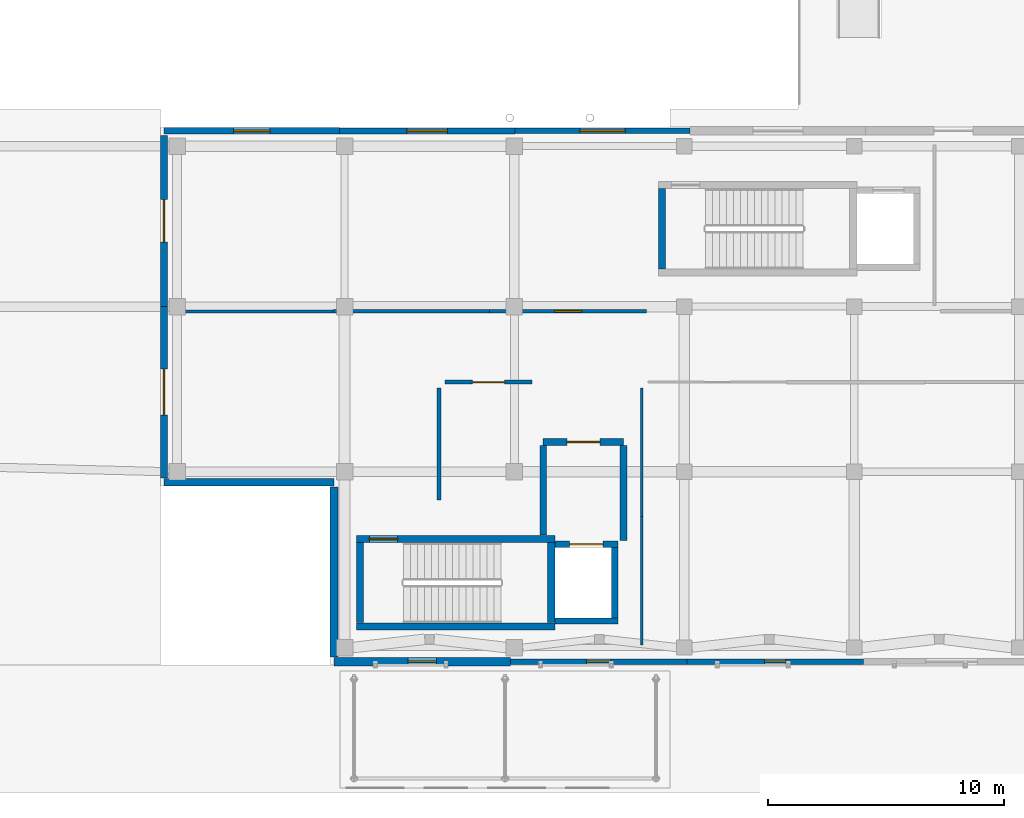
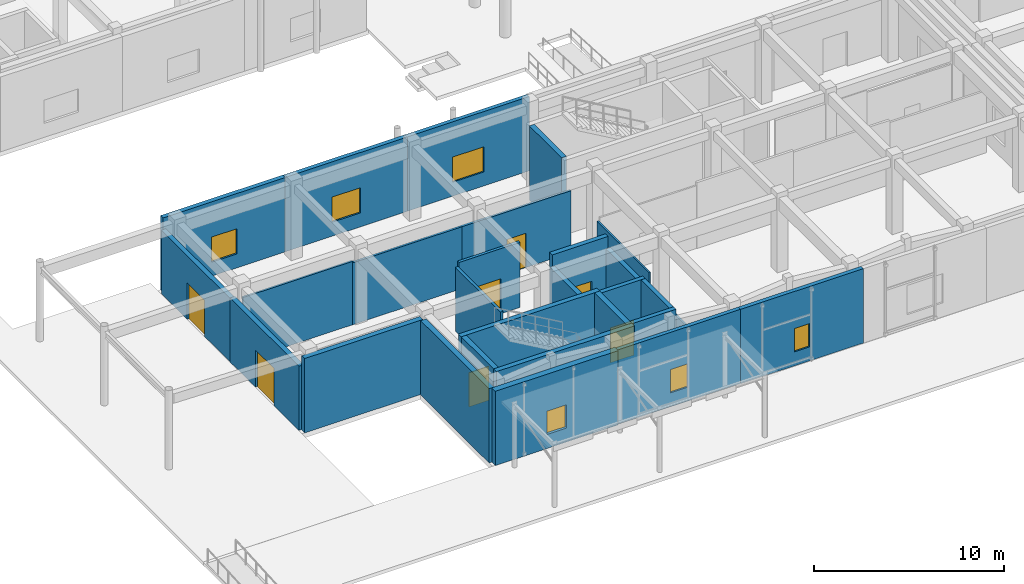
# One storey, part 95 of 121: 28 walls, 7 doors, 6 windows, 13 openings.
"""IFC4 building model written with IfcOpenShell, lengths in metres."""

from ifc_helpers import new_model, si_unit, direction, frame, frame_2d, origin, place, context, subcontext, project, spatial, rectangle, extrude, material, layer, layer_set, type_object, element, fill, save


model = new_model("IFC4")

# Units and contexts
model_context = context("Model", 3, precision=1e-05, world=origin(), true_north=direction((0.0, 1.0)))
body_context = subcontext(model_context, "Body", "Model", "MODEL_VIEW")
ifc_project = project(units=[si_unit("LENGTHUNIT", "METRE"), si_unit("AREAUNIT", "SQUARE_METRE"), si_unit("VOLUMEUNIT", "CUBIC_METRE"), si_unit("PLANEANGLEUNIT", "RADIAN"), si_unit("MASSUNIT", "GRAM", prefix="KILO")], contexts=[model_context])

# Site, building, storey
site_placement = place(None, origin())
site = spatial("IfcSite", under=ifc_project, at=site_placement, CompositionType="ELEMENT")
building_placement = place(site_placement, origin())
building = spatial("IfcBuilding", under=site, at=building_placement, Name="Valcora Specialist Clinic", CompositionType="ELEMENT")
storey_placement = place(building_placement, origin())
storey = spatial("IfcBuildingStorey", under=building, at=storey_placement, Name="L00", CompositionType="ELEMENT", Elevation=0.0)

# Wall, opening, door
ifc_material_1 = material(Name="Concrete C40/50", Category="concrete")
ifc_layer_1 = layer(ifc_material_1, 0.284912109375)
ifc_layer_set_1 = layer_set([ifc_layer_1], Name="Concrete C40/50")
wall_type_1 = type_object("IfcWallType", Name="TY-WL-CR285", PredefinedType="SHEAR", material=ifc_layer_set_1)
wall_1_placement = place(storey_placement, frame((24.6201171875, 9.4599609375, 0.0), z_axis=(0.0, 0.0, 1.0), x_axis=(1.0, 0.0, 0.0)))
wall_1 = element("IfcWall", 1, at=wall_1_placement, inside=storey, type_object=wall_type_1, Name="Firefighting lobby front wall WL-FFL-LF-05-L00-F", PredefinedType="SHEAR", context=body_context, shape_type="SweptSolid", body=[
    extrude(rectangle(XDim=3.39990234375, YDim=0.284912109375, at=frame_2d((1.699951171875, 0.0))), origin(), (0.0, 0.0, 1.0), 4.784912109375),
])
opening_1_placement = place(wall_1_placement, frame((1.0, 0.0, 0.0)))
opening_1 = element("IfcOpeningElement", 2, at=opening_1_placement, cuts=wall_1, Name="Opening DR-FF-140", PredefinedType="OPENING", context=body_context, shape_type="SweptSolid", body=[
    extrude(rectangle(XDim=1.39990234375, YDim=2.25, at=frame_2d((0.699951171875, 1.125))), frame((0.0, 0.15234375, 0.0), z_axis=(0.0, -1.0, 0.0), x_axis=(1.0, 0.0, 0.0)), (0.0, 0.0, 1.0), 0.304931640625),
])
ifc_material_2 = material(Name="Galvanized Hollow Metal Door Steel ASTM A653", Category="steel")
door_type_1 = type_object("IfcDoorType", Name="TY-DR-FF140", OperationType="NOTDEFINED", PredefinedType="DOOR", material=ifc_material_2)
door_1_placement = place(opening_1_placement, origin())
door_1 = element("IfcDoor", 3, at=door_1_placement, inside=storey, type_object=door_type_1, Name="Firefighting lobby fire door LF-05 L00", OperationType="SINGLE_SWING_LEFT", OverallHeight=2.25, OverallWidth=1.39990234375, PredefinedType="DOOR", context=body_context, shape_type="SweptSolid", body=[
    extrude(rectangle(XDim=1.39990234375, YDim=2.25, at=frame_2d((0.699951171875, 1.125))), frame((0.0, 0.02490234375, 0.0), z_axis=(0.0, -1.0, 0.0), x_axis=(1.0, 0.0, 0.0)), (0.0, 0.0, 1.0), 0.050048828125),
])
fill(opening_1, door_1)

# Walls
wall_2_placement = place(storey_placement, frame((24.6201171875, 5.52001953125, 0.0), z_axis=(0.0, 0.0, 1.0), x_axis=(0.0, 1.0, 0.0)))
element("IfcWall", 4, at=wall_2_placement, inside=storey, type_object=wall_type_1, Name="Firefighting lobby west wall", PredefinedType="SHEAR", context=body_context, shape_type="SweptSolid", body=[
    extrude(rectangle(XDim=3.7900390625, YDim=0.284912109375, at=frame_2d((1.89501953125, 0.0))), origin(), (0.0, 0.0, 1.0), 4.034912109375),
])
wall_3_placement = place(storey_placement, frame((28.02001953125, 5.280029296875, 0.0), z_axis=(0.0, 0.0, 1.0), x_axis=(0.0, 1.0, 0.0)))
element("IfcWall", 5, at=wall_3_placement, inside=storey, type_object=wall_type_1, Name="Firefighting lobby east wall", PredefinedType="SHEAR", context=body_context, shape_type="SweptSolid", body=[
    extrude(rectangle(XDim=4.030029296875, YDim=0.284912109375, at=frame_2d((2.01513671875, 0.0))), origin(), (0.0, 0.0, 1.0), 4.034912109375),
])
ifc_layer_2 = layer(ifc_material_1, 0.300048828125)
ifc_layer_set_2 = layer_set([ifc_layer_2], Name="Concrete C40/50")
wall_type_2 = type_object("IfcWallType", Name="TY-WL-CR300", PredefinedType="SHEAR", material=ifc_layer_set_2)
wall_4_placement = place(storey_placement, frame((16.699951171875, 1.64990234375, 0.0), z_axis=(0.0, 0.0, 1.0), x_axis=(1.0, 0.0, 0.0)))
element("IfcWall", 6, at=wall_4_placement, inside=storey, type_object=wall_type_2, Name="Core shear wall WL-CR-C-V5A-L00-S", PredefinedType="SHEAR", context=body_context, shape_type="SweptSolid", body=[
    extrude(rectangle(XDim=8.420166015625, YDim=0.300048828125, at=frame_2d((4.2099609375, 0.0))), origin(), (0.0, 0.0, 1.0), 4.784912109375),
])

# Wall, opening, door
wall_5_placement = place(storey_placement, frame((16.699951171875, 5.35009765625, 0.0), z_axis=(0.0, 0.0, 1.0), x_axis=(1.0, 0.0, 0.0)))
wall_5 = element("IfcWall", 7, at=wall_5_placement, inside=storey, type_object=wall_type_2, Name="Core shear wall WL-CR-C-V5A-L00-N", PredefinedType="SHEAR", context=body_context, shape_type="SweptSolid", body=[
    extrude(rectangle(XDim=8.420166015625, YDim=0.300048828125, at=frame_2d((4.2099609375, 0.0))), origin(), (0.0, 0.0, 1.0), 4.784912109375),
])
opening_2_placement = place(wall_5_placement, frame((0.550048828125, 0.0, 0.0)))
opening_2 = element("IfcOpeningElement", 8, at=opening_2_placement, cuts=wall_5, Name="Opening DR-FD-120", PredefinedType="OPENING", context=body_context, shape_type="SweptSolid", body=[
    extrude(rectangle(XDim=1.199951171875, YDim=2.199951171875, at=frame_2d((0.60009765625, 1.10009765625))), frame((0.0, 0.159912109375, 0.0), z_axis=(0.0, -1.0, 0.0), x_axis=(1.0, 0.0, 0.0)), (0.0, 0.0, 1.0), 0.320068359375),
])
door_type_2 = type_object("IfcDoorType", Name="TY-DR-ST120", OperationType="NOTDEFINED", PredefinedType="DOOR", material=ifc_material_2)
door_2_placement = place(opening_2_placement, origin())
door_2 = element("IfcDoor", 9, at=door_2_placement, inside=storey, type_object=door_type_2, Name="Exit stair fire door C-V5A L00", OperationType="SINGLE_SWING_RIGHT", OverallHeight=2.199951171875, OverallWidth=1.199951171875, PredefinedType="DOOR", context=body_context, shape_type="SweptSolid", body=[
    extrude(rectangle(XDim=1.199951171875, YDim=2.199951171875, at=frame_2d((0.60009765625, 1.10009765625))), frame((0.0, 0.02490234375, 0.0), z_axis=(0.0, -1.0, 0.0), x_axis=(1.0, 0.0, 0.0)), (0.0, 0.0, 1.0), 0.050048828125),
])
fill(opening_2, door_2)

# Walls
for number, where, z_axis, x_axis, name in (
    (10, (16.85009765625, 1.802001953125, 0.0), (0.0, 0.0, 1.0), (0.0, 1.0, 0.0), "Core shear wall WL-CR-C-V5A-L00-W"),
    (11, (29.64990234375, 16.802001953125, 0.0), (0.0, 0.0, 1.0), (0.0, 1.0, 0.0), "Core shear wall WL-CR-C-V5B-L00-W"),
):
    element("IfcWall", number, at=place(storey_placement, frame(where, z_axis=z_axis, x_axis=x_axis)), inside=storey, type_object=wall_type_2, Name=name, PredefinedType="SHEAR", context=body_context, shape_type="SweptSolid", body=[
        extrude(rectangle(XDim=3.39599609375, YDim=0.300048828125, at=frame_2d((1.697998046875, 0.0))), origin(), (0.0, 0.0, 1.0), 4.784912109375),
    ])
ifc_layer_3 = layer(ifc_material_1, 0.320068359375)
ifc_layer_set_3 = layer_set([ifc_layer_3], Name="Concrete C40/50")
wall_type_3 = type_object("IfcWallType", Name="TY-WL-CR320", PredefinedType="SHEAR", material=ifc_layer_set_3)
wall_6_placement = place(storey_placement, frame((24.9599609375, 1.802001953125, 0.0), z_axis=(0.0, 0.0, 1.0), x_axis=(0.0, 1.0, 0.0)))
element("IfcWall", 12, at=wall_6_placement, inside=storey, type_object=wall_type_3, Name="Core shear wall WL-CR-C-V5A-L00-E", PredefinedType="SHEAR", context=body_context, shape_type="SweptSolid", body=[
    extrude(rectangle(XDim=3.39599609375, YDim=0.320068359375, at=frame_2d((1.697998046875, 0.0))), origin(), (0.0, 0.0, 1.0), 4.784912109375),
])

# Wall, opening, window
ifc_material_3 = material(Name="Extruded Jalisco Clay Brick Masonry", Category="masonry")
ifc_layer_4 = layer(ifc_material_3, 0.235107421875)
ifc_layer_set_4 = layer_set([ifc_layer_4], Name="Extruded Jalisco Clay Brick Masonry")
wall_type_4 = type_object("IfcWallType", Name="TY-WL-EW235", PredefinedType="SOLIDWALL", material=ifc_layer_set_4)
wall_7_placement = place(storey_placement, frame((23.416748046875, 22.64990234375, 0.0), z_axis=(0.0, 0.0, 1.0), x_axis=(1.0, 0.0, 0.0)))
wall_7 = element("IfcWall", 13, at=wall_7_placement, inside=storey, type_object=wall_type_4, Name="Exterior wall WL-EXT-L00-0230", PredefinedType="SOLIDWALL", context=body_context, shape_type="SweptSolid", body=[
    extrude(rectangle(XDim=7.433349609375, YDim=0.235107421875, at=frame_2d((3.716796875, 0.0))), origin(), (0.0, 0.0, 1.0), 4.784912109375),
])
opening_3_placement = place(wall_7_placement, frame((2.757080078125, 0.0, 0.89990234375)))
opening_3 = element("IfcOpeningElement", 14, at=opening_3_placement, cuts=wall_7, Name="Opening WN-36", PredefinedType="OPENING", context=body_context, shape_type="SweptSolid", body=[
    extrude(rectangle(XDim=1.919921875, YDim=1.6201171875, at=frame_2d((0.9599609375, 0.81005859375))), frame((0.0, 0.12744140625, 0.0), z_axis=(0.0, -1.0, 0.0), x_axis=(1.0, 0.0, 0.0)), (0.0, 0.0, 1.0), 0.255126953125),
])
ifc_material_4 = material(Name="Low-E Laminated Insulating Glass", Category="glass")
window_type_1 = type_object("IfcWindowType", Name="TY-WN-36", PartitioningType="SINGLE_PANEL", PredefinedType="WINDOW", material=ifc_material_4)
window_1_placement = place(opening_3_placement, origin())
window_1 = element("IfcWindow", 15, at=window_1_placement, inside=storey, type_object=window_type_1, Name="Facade window WN-L00-0204", OverallHeight=1.6201171875, OverallWidth=1.919921875, PartitioningType="SINGLE_PANEL", PredefinedType="WINDOW", context=body_context, shape_type="SweptSolid", body=[
    extrude(rectangle(XDim=1.919921875, YDim=1.6201171875, at=frame_2d((0.9599609375, 0.81005859375))), frame((0.0, 0.030029296875, 0.0), z_axis=(0.0, -1.0, 0.0), x_axis=(1.0, 0.0, 0.0)), (0.0, 0.0, 1.0), 0.06005859375),
])
fill(opening_3, window_1)

wall_8_placement = place(storey_placement, frame((30.7099609375, 0.14990234375, 0.0), z_axis=(0.0, 0.0, 1.0), x_axis=(-1.0, 0.0, 0.0)))
wall_8 = element("IfcWall", 16, at=wall_8_placement, inside=storey, type_object=wall_type_4, Name="Exterior wall WL-EXT-L00-0240", PredefinedType="SOLIDWALL", context=body_context, shape_type="SweptSolid", body=[
    extrude(rectangle(XDim=7.47998046875, YDim=0.235107421875, at=frame_2d((3.739990234375, 0.0))), origin(), (0.0, 0.0, 1.0), 4.784912109375),
])
opening_4_placement = place(wall_8_placement, frame((3.215087890625, 0.0, 0.89990234375)))
opening_4 = element("IfcOpeningElement", 17, at=opening_4_placement, cuts=wall_8, Name="Opening WN-02", PredefinedType="OPENING", context=body_context, shape_type="SweptSolid", body=[
    extrude(rectangle(XDim=1.050048828125, YDim=1.5, at=frame_2d((0.52490234375, 0.75))), frame((0.0, 0.12744140625, 0.0), z_axis=(0.0, -1.0, 0.0), x_axis=(1.0, 0.0, 0.0)), (0.0, 0.0, 1.0), 0.255126953125),
])
window_type_2 = type_object("IfcWindowType", Name="TY-WN-02", PartitioningType="SINGLE_PANEL", PredefinedType="WINDOW", material=ifc_material_4)
window_2_placement = place(opening_4_placement, origin())
window_2 = element("IfcWindow", 18, at=window_2_placement, inside=storey, type_object=window_type_2, Name="Facade window WN-L00-0212", OverallHeight=1.5, OverallWidth=1.050048828125, PartitioningType="SINGLE_PANEL", PredefinedType="WINDOW", context=body_context, shape_type="SweptSolid", body=[
    extrude(rectangle(XDim=1.050048828125, YDim=1.5, at=frame_2d((0.52490234375, 0.75))), frame((0.0, 0.030029296875, 0.0), z_axis=(0.0, -1.0, 0.0), x_axis=(1.0, 0.0, 0.0)), (0.0, 0.0, 1.0), 0.06005859375),
])
fill(opening_4, window_2)

ifc_layer_5 = layer(ifc_material_3, 0.25)
ifc_layer_set_5 = layer_set([ifc_layer_5], Name="Extruded Jalisco Clay Brick Masonry")
wall_type_5 = type_object("IfcWallType", Name="TY-WL-EW250", PredefinedType="SOLIDWALL", material=ifc_layer_set_5)
wall_9_placement = place(storey_placement, frame((15.9833984375, 22.64990234375, 0.0), z_axis=(0.0, 0.0, 1.0), x_axis=(1.0, 0.0, 0.0)))
wall_9 = element("IfcWall", 19, at=wall_9_placement, inside=storey, type_object=wall_type_5, Name="Exterior wall WL-EXT-L00-0229", PredefinedType="SOLIDWALL", context=body_context, shape_type="SweptSolid", body=[
    extrude(rectangle(XDim=7.433349609375, YDim=0.25, at=frame_2d((3.716796875, 0.0))), origin(), (0.0, 0.0, 1.0), 4.784912109375),
])
opening_5_placement = place(wall_9_placement, frame((2.85693359375, 0.0, 0.89990234375)))
opening_5 = element("IfcOpeningElement", 20, at=opening_5_placement, cuts=wall_9, Name="Opening WN-35", PredefinedType="OPENING", context=body_context, shape_type="SweptSolid", body=[
    extrude(rectangle(XDim=1.719970703125, YDim=1.6201171875, at=frame_2d((0.85986328125, 0.81005859375))), frame((0.0, 0.135009765625, 0.0), z_axis=(0.0, -1.0, 0.0), x_axis=(1.0, 0.0, 0.0)), (0.0, 0.0, 1.0), 0.27001953125),
])
window_type_3 = type_object("IfcWindowType", Name="TY-WN-35", PartitioningType="SINGLE_PANEL", PredefinedType="WINDOW", material=ifc_material_4)
window_3_placement = place(opening_5_placement, origin())
window_3 = element("IfcWindow", 21, at=window_3_placement, inside=storey, type_object=window_type_3, Name="Facade window WN-L00-0203", OverallHeight=1.6201171875, OverallWidth=1.719970703125, PartitioningType="SINGLE_PANEL", PredefinedType="WINDOW", context=body_context, shape_type="SweptSolid", body=[
    extrude(rectangle(XDim=1.719970703125, YDim=1.6201171875, at=frame_2d((0.85986328125, 0.81005859375))), frame((0.0, 0.030029296875, 0.0), z_axis=(0.0, -1.0, 0.0), x_axis=(1.0, 0.0, 0.0)), (0.0, 0.0, 1.0), 0.06005859375),
])
fill(opening_5, window_3)

wall_10_placement = place(storey_placement, frame((38.18994140625, 0.14990234375, 0.0), z_axis=(0.0, 0.0, 1.0), x_axis=(-1.0, 0.0, 0.0)))
wall_10 = element("IfcWall", 22, at=wall_10_placement, inside=storey, type_object=wall_type_5, Name="Exterior wall WL-EXT-L00-0239", PredefinedType="SOLIDWALL", context=body_context, shape_type="SweptSolid", body=[
    extrude(rectangle(XDim=7.47998046875, YDim=0.25, at=frame_2d((3.739990234375, 0.0))), origin(), (0.0, 0.0, 1.0), 4.784912109375),
])
opening_6_placement = place(wall_10_placement, frame((3.2900390625, 0.0, 0.89990234375)))
opening_6 = element("IfcOpeningElement", 23, at=opening_6_placement, cuts=wall_10, Name="Opening WN-01", PredefinedType="OPENING", context=body_context, shape_type="SweptSolid", body=[
    extrude(rectangle(XDim=0.89990234375, YDim=1.5, at=frame_2d((0.449951171875, 0.75))), frame((0.0, 0.135009765625, 0.0), z_axis=(0.0, -1.0, 0.0), x_axis=(1.0, 0.0, 0.0)), (0.0, 0.0, 1.0), 0.27001953125),
])
window_type_4 = type_object("IfcWindowType", Name="TY-WN-01", PartitioningType="SINGLE_PANEL", PredefinedType="WINDOW", material=ifc_material_4)
window_4_placement = place(opening_6_placement, origin())
window_4 = element("IfcWindow", 24, at=window_4_placement, inside=storey, type_object=window_type_4, Name="Facade window WN-L00-0211", OverallHeight=1.5, OverallWidth=0.89990234375, PartitioningType="SINGLE_PANEL", PredefinedType="WINDOW", context=body_context, shape_type="SweptSolid", body=[
    extrude(rectangle(XDim=0.89990234375, YDim=1.5, at=frame_2d((0.449951171875, 0.75))), frame((0.0, 0.030029296875, 0.0), z_axis=(0.0, -1.0, 0.0), x_axis=(1.0, 0.0, 0.0)), (0.0, 0.0, 1.0), 0.06005859375),
])
fill(opening_6, window_4)

ifc_layer_6 = layer(ifc_material_3, 0.264892578125)
ifc_layer_set_6 = layer_set([ifc_layer_6], Name="Extruded Jalisco Clay Brick Masonry")
wall_type_6 = type_object("IfcWallType", Name="TY-WL-EW265", PredefinedType="SOLIDWALL", material=ifc_layer_set_6)
wall_11_placement = place(storey_placement, frame((8.550048828125, 22.64990234375, 0.0), z_axis=(0.0, 0.0, 1.0), x_axis=(1.0, 0.0, 0.0)))
wall_11 = element("IfcWall", 25, at=wall_11_placement, inside=storey, type_object=wall_type_6, Name="Exterior wall WL-EXT-L00-0228", PredefinedType="SOLIDWALL", context=body_context, shape_type="SweptSolid", body=[
    extrude(rectangle(XDim=7.433349609375, YDim=0.264892578125, at=frame_2d((3.716796875, 0.0))), origin(), (0.0, 0.0, 1.0), 4.784912109375),
])
opening_7_placement = place(wall_11_placement, frame((2.947021484375, 0.0, 0.89990234375)))
opening_7 = element("IfcOpeningElement", 26, at=opening_7_placement, cuts=wall_11, Name="Opening WN-34", PredefinedType="OPENING", context=body_context, shape_type="SweptSolid", body=[
    extrude(rectangle(XDim=1.5400390625, YDim=1.6201171875, at=frame_2d((0.77001953125, 0.81005859375))), frame((0.0, 0.142333984375, 0.0), z_axis=(0.0, -1.0, 0.0), x_axis=(1.0, 0.0, 0.0)), (0.0, 0.0, 1.0), 0.284912109375),
])
window_type_5 = type_object("IfcWindowType", Name="TY-WN-34", PartitioningType="SINGLE_PANEL", PredefinedType="WINDOW", material=ifc_material_4)
window_5_placement = place(opening_7_placement, origin())
window_5 = element("IfcWindow", 27, at=window_5_placement, inside=storey, type_object=window_type_5, Name="Facade window WN-L00-0202", OverallHeight=1.6201171875, OverallWidth=1.5400390625, PartitioningType="SINGLE_PANEL", PredefinedType="WINDOW", context=body_context, shape_type="SweptSolid", body=[
    extrude(rectangle(XDim=1.5400390625, YDim=1.6201171875, at=frame_2d((0.77001953125, 0.81005859375))), frame((0.0, 0.030029296875, 0.0), z_axis=(0.0, -1.0, 0.0), x_axis=(1.0, 0.0, 0.0)), (0.0, 0.0, 1.0), 0.06005859375),
])
fill(opening_7, window_5)

# Wall, opening, door
ifc_layer_7 = layer(ifc_material_3, 0.280029296875)
ifc_layer_set_7 = layer_set([ifc_layer_7], Name="Extruded Jalisco Clay Brick Masonry")
wall_type_7 = type_object("IfcWallType", Name="TY-WL-EW280", PredefinedType="SOLIDWALL", material=ifc_layer_set_7)
wall_12_placement = place(storey_placement, frame((8.550048828125, 15.199951171875, 0.0), z_axis=(0.0, 0.0, 1.0), x_axis=(0.0, 1.0, 0.0)))
wall_12 = element("IfcWall", 28, at=wall_12_placement, inside=storey, type_object=wall_type_7, Name="Exterior wall WL-EXT-L00-0227", PredefinedType="SOLIDWALL", context=body_context, shape_type="SweptSolid", body=[
    extrude(rectangle(XDim=7.260009765625, YDim=0.280029296875, at=frame_2d((3.6298828125, 0.0))), origin(), (0.0, 0.0, 1.0), 4.0849609375),
])
opening_8_placement = place(wall_12_placement, frame((2.72998046875, 0.0, 0.0)))
opening_8 = element("IfcOpeningElement", 29, at=opening_8_placement, cuts=wall_12, Name="Opening DR-EX-180", PredefinedType="OPENING", context=body_context, shape_type="SweptSolid", body=[
    extrude(rectangle(XDim=1.800048828125, YDim=2.35009765625, at=frame_2d((0.89990234375, 1.175048828125))), frame((0.0, 0.14990234375, 0.0), z_axis=(0.0, -1.0, 0.0), x_axis=(1.0, 0.0, 0.0)), (0.0, 0.0, 1.0), 0.300048828125),
])
ifc_material_5 = material(Name="Anodized Bronze Aluminium 6063-T6", Category="aluminium")
door_type_3 = type_object("IfcDoorType", Name="TY-DR-EX180", OperationType="NOTDEFINED", PredefinedType="DOOR", material=ifc_material_5)
door_3_placement = place(opening_8_placement, origin())
door_3 = element("IfcDoor", 30, at=door_3_placement, inside=storey, type_object=door_type_3, Name="Exterior door DR-EXT-L00-013", OperationType="SINGLE_SWING_LEFT", OverallHeight=2.35009765625, OverallWidth=1.800048828125, PredefinedType="DOOR", context=body_context, shape_type="SweptSolid", body=[
    extrude(rectangle(XDim=1.800048828125, YDim=2.35009765625, at=frame_2d((0.89990234375, 1.175048828125))), frame((0.0, 0.02490234375, 0.0), z_axis=(0.0, -1.0, 0.0), x_axis=(1.0, 0.0, 0.0)), (0.0, 0.0, 1.0), 0.050048828125),
])
fill(opening_8, door_3)

ifc_layer_8 = layer(ifc_material_3, 0.294921875)
ifc_layer_set_8 = layer_set([ifc_layer_8], Name="Extruded Jalisco Clay Brick Masonry")
wall_type_8 = type_object("IfcWallType", Name="TY-WL-EW295", PredefinedType="SOLIDWALL", material=ifc_layer_set_8)
wall_13_placement = place(storey_placement, frame((8.550048828125, 7.93994140625, 0.0), z_axis=(0.0, 0.0, 1.0), x_axis=(0.0, 1.0, 0.0)))
wall_13 = element("IfcWall", 31, at=wall_13_placement, inside=storey, type_object=wall_type_8, Name="Exterior wall WL-EXT-L00-0226", PredefinedType="SOLIDWALL", context=body_context, shape_type="SweptSolid", body=[
    extrude(rectangle(XDim=7.260009765625, YDim=0.294921875, at=frame_2d((3.6298828125, 0.0))), origin(), (0.0, 0.0, 1.0), 4.135009765625),
])
opening_9_placement = place(wall_13_placement, frame((2.655029296875, 0.0, 0.0)))
opening_9 = element("IfcOpeningElement", 32, at=opening_9_placement, cuts=wall_13, Name="Opening DR-EX-195", PredefinedType="OPENING", context=body_context, shape_type="SweptSolid", body=[
    extrude(rectangle(XDim=1.949951171875, YDim=2.39990234375, at=frame_2d((0.97509765625, 1.199951171875))), frame((0.0, 0.157470703125, 0.0), z_axis=(0.0, -1.0, 0.0), x_axis=(1.0, 0.0, 0.0)), (0.0, 0.0, 1.0), 0.31494140625),
])
door_type_4 = type_object("IfcDoorType", Name="TY-DR-EX195", OperationType="NOTDEFINED", PredefinedType="DOOR", material=ifc_material_5)
door_4_placement = place(opening_9_placement, origin())
door_4 = element("IfcDoor", 33, at=door_4_placement, inside=storey, type_object=door_type_4, Name="Exterior door DR-EXT-L00-012", OperationType="SINGLE_SWING_RIGHT", OverallHeight=2.39990234375, OverallWidth=1.949951171875, PredefinedType="DOOR", context=body_context, shape_type="SweptSolid", body=[
    extrude(rectangle(XDim=1.949951171875, YDim=2.39990234375, at=frame_2d((0.97509765625, 1.199951171875))), frame((0.0, 0.02490234375, 0.0), z_axis=(0.0, -1.0, 0.0), x_axis=(1.0, 0.0, 0.0)), (0.0, 0.0, 1.0), 0.050048828125),
])
fill(opening_9, door_4)

# Walls
ifc_layer_9 = layer(ifc_material_3, 0.31005859375)
ifc_layer_set_9 = layer_set([ifc_layer_9], Name="Extruded Jalisco Clay Brick Masonry")
wall_type_9 = type_object("IfcWallType", Name="TY-WL-EW310", PredefinedType="SOLIDWALL", material=ifc_layer_set_9)
wall_14_placement = place(storey_placement, frame((15.75, 7.75, 0.0), z_axis=(0.0, 0.0, 1.0), x_axis=(-1.0, 0.0, 0.0)))
element("IfcWall", 34, at=wall_14_placement, inside=storey, type_object=wall_type_9, Name="Exterior wall WL-EXT-L00-0225", PredefinedType="SOLIDWALL", context=body_context, shape_type="SweptSolid", body=[
    extrude(rectangle(XDim=7.199951171875, YDim=0.31005859375, at=frame_2d((3.60009765625, 0.0))), origin(), (0.0, 0.0, 1.0), 4.784912109375),
])
ifc_layer_10 = layer(ifc_material_3, 0.324951171875)
ifc_layer_set_10 = layer_set([ifc_layer_10], Name="Extruded Jalisco Clay Brick Masonry")
wall_type_10 = type_object("IfcWallType", Name="TY-WL-EW325", PredefinedType="SOLIDWALL", material=ifc_layer_set_10)
wall_15_placement = place(storey_placement, frame((15.75, 0.340087890625, 0.0), z_axis=(0.0, 0.0, 1.0), x_axis=(0.0, 1.0, 0.0)))
element("IfcWall", 35, at=wall_15_placement, inside=storey, type_object=wall_type_10, Name="Exterior wall WL-EXT-L00-0224", PredefinedType="SOLIDWALL", context=body_context, shape_type="SweptSolid", body=[
    extrude(rectangle(XDim=7.219970703125, YDim=0.324951171875, at=frame_2d((3.60986328125, 0.0))), origin(), (0.0, 0.0, 1.0), 4.784912109375),
])

# Wall, opening, window
ifc_layer_11 = layer(ifc_material_3, 0.3701171875)
ifc_layer_set_11 = layer_set([ifc_layer_11], Name="Extruded Jalisco Clay Brick Masonry")
wall_type_11 = type_object("IfcWallType", Name="TY-WL-EW370", PredefinedType="SOLIDWALL", material=ifc_layer_set_11)
wall_16_placement = place(storey_placement, frame((23.22998046875, 0.14990234375, 0.0), z_axis=(0.0, 0.0, 1.0), x_axis=(-1.0, 0.0, 0.0)))
wall_16 = element("IfcWall", 36, at=wall_16_placement, inside=storey, type_object=wall_type_11, Name="Exterior wall WL-EXT-L00-0241", PredefinedType="SOLIDWALL", context=body_context, shape_type="SweptSolid", body=[
    extrude(rectangle(XDim=7.47998046875, YDim=0.3701171875, at=frame_2d((3.739990234375, 0.0))), origin(), (0.0, 0.0, 1.0), 4.784912109375),
])
opening_10_placement = place(wall_16_placement, frame((3.139892578125, 0.0, 0.89990234375)))
opening_10 = element("IfcOpeningElement", 37, at=opening_10_placement, cuts=wall_16, Name="Opening WN-03", PredefinedType="OPENING", context=body_context, shape_type="SweptSolid", body=[
    extrude(rectangle(XDim=1.199951171875, YDim=1.5, at=frame_2d((0.60009765625, 0.75))), frame((0.0, 0.195068359375, 0.0), z_axis=(0.0, -1.0, 0.0), x_axis=(1.0, 0.0, 0.0)), (0.0, 0.0, 1.0), 0.39013671875),
])
window_type_6 = type_object("IfcWindowType", Name="TY-WN-03", PartitioningType="SINGLE_PANEL", PredefinedType="WINDOW", material=ifc_material_4)
window_6_placement = place(opening_10_placement, origin())
window_6 = element("IfcWindow", 38, at=window_6_placement, inside=storey, type_object=window_type_6, Name="Facade window WN-L00-0213", OverallHeight=1.5, OverallWidth=1.199951171875, PartitioningType="SINGLE_PANEL", PredefinedType="WINDOW", context=body_context, shape_type="SweptSolid", body=[
    extrude(rectangle(XDim=1.199951171875, YDim=1.5, at=frame_2d((0.60009765625, 0.75))), frame((0.0, 0.030029296875, 0.0), z_axis=(0.0, -1.0, 0.0), x_axis=(1.0, 0.0, 0.0)), (0.0, 0.0, 1.0), 0.06005859375),
])
fill(opening_10, window_6)

# Walls
ifc_material_6 = material(Name="Gypsum Board Partition Assembly")
ifc_layer_12 = layer(ifc_material_6, 0.10498046875)
ifc_layer_set_12 = layer_set([ifc_layer_12], Name="Gypsum Board Partition Assembly")
wall_type_12 = type_object("IfcWallType", Name="TY-WL-PT105", PredefinedType="PARTITIONING", material=ifc_layer_set_12)
wall_17_placement = place(storey_placement, frame((28.800048828125, 6.300048828125, 0.0), z_axis=(0.0, 0.0, 1.0), x_axis=(0.0, 1.0, 0.0)))
element("IfcWall", 39, at=wall_17_placement, inside=storey, type_object=wall_type_12, Name="Interior partition WL-INT-L00-0124", PredefinedType="PARTITIONING", context=body_context, shape_type="SweptSolid", body=[
    extrude(rectangle(XDim=5.449951171875, YDim=0.10498046875, at=frame_2d((2.72509765625, 0.0))), origin(), (0.0, 0.0, 1.0), 4.034912109375),
])
ifc_layer_13 = layer(ifc_material_6, 0.114990234375)
ifc_layer_set_13 = layer_set([ifc_layer_13], Name="Gypsum Board Partition Assembly")
wall_type_13 = type_object("IfcWallType", Name="TY-WL-PT115", PredefinedType="PARTITIONING", material=ifc_layer_set_13)
wall_18_placement = place(storey_placement, frame((28.800048828125, 0.85009765625, 0.0), z_axis=(0.0, 0.0, 1.0), x_axis=(0.0, 1.0, 0.0)))
element("IfcWall", 40, at=wall_18_placement, inside=storey, type_object=wall_type_13, Name="Interior partition WL-INT-L00-0123", PredefinedType="PARTITIONING", context=body_context, shape_type="SweptSolid", body=[
    extrude(rectangle(XDim=5.449951171875, YDim=0.114990234375, at=frame_2d((2.72509765625, 0.0))), origin(), (0.0, 0.0, 1.0), 3.0),
])
ifc_layer_14 = layer(ifc_material_6, 0.125)
ifc_layer_set_14 = layer_set([ifc_layer_14], Name="Gypsum Board Partition Assembly")
wall_type_14 = type_object("IfcWallType", Name="TY-WL-PT125", PredefinedType="PARTITIONING", material=ifc_layer_set_14)
wall_19_placement = place(storey_placement, frame((15.699951171875, 15.0, 0.0), z_axis=(0.0, 0.0, 1.0), x_axis=(-1.0, 0.0, 0.0)))
element("IfcWall", 41, at=wall_19_placement, inside=storey, type_object=wall_type_14, Name="Interior partition WL-INT-L00-0116", PredefinedType="PARTITIONING", context=body_context, shape_type="SweptSolid", body=[
    extrude(rectangle(XDim=6.64990234375, YDim=0.125, at=frame_2d((3.324951171875, 0.0))), origin(), (0.0, 0.0, 1.0), 4.0849609375),
])
ifc_layer_15 = layer(ifc_material_6, 0.135009765625)
ifc_layer_set_15 = layer_set([ifc_layer_15], Name="Gypsum Board Partition Assembly")
wall_type_15 = type_object("IfcWallType", Name="TY-WL-PT135", PredefinedType="PARTITIONING", material=ifc_layer_set_15)
wall_20_placement = place(storey_placement, frame((22.35009765625, 15.0, 0.0), z_axis=(0.0, 0.0, 1.0), x_axis=(-1.0, 0.0, 0.0)))
element("IfcWall", 42, at=wall_20_placement, inside=storey, type_object=wall_type_15, Name="Interior partition WL-INT-L00-0115", PredefinedType="PARTITIONING", context=body_context, shape_type="SweptSolid", body=[
    extrude(rectangle(XDim=6.650146484375, YDim=0.135009765625, at=frame_2d((3.3251953125, 0.0))), origin(), (0.0, 0.0, 1.0), 3.985107421875),
])

# Wall, opening, door
ifc_layer_16 = layer(ifc_material_6, 0.14501953125)
ifc_layer_set_16 = layer_set([ifc_layer_16], Name="Gypsum Board Partition Assembly")
wall_type_16 = type_object("IfcWallType", Name="TY-WL-PT145", PredefinedType="PARTITIONING", material=ifc_layer_set_16)
wall_21_placement = place(storey_placement, frame((29.0, 15.0, 0.0), z_axis=(0.0, 0.0, 1.0), x_axis=(-1.0, 0.0, 0.0)))
wall_21 = element("IfcWall", 43, at=wall_21_placement, inside=storey, type_object=wall_type_16, Name="Interior partition WL-INT-L00-0114", PredefinedType="PARTITIONING", context=body_context, shape_type="SweptSolid", body=[
    extrude(rectangle(XDim=6.64990234375, YDim=0.14501953125, at=frame_2d((3.324951171875, 0.0))), origin(), (0.0, 0.0, 1.0), 3.985107421875),
])
opening_11_placement = place(wall_21_placement, frame((2.7548828125, 0.0, 0.0)))
opening_11 = element("IfcOpeningElement", 44, at=opening_11_placement, cuts=wall_21, Name="Opening DR-CN-114", PredefinedType="OPENING", context=body_context, shape_type="SweptSolid", body=[
    extrude(rectangle(XDim=1.139892578125, YDim=2.199951171875, at=frame_2d((0.56982421875, 1.10009765625))), frame((0.0, 0.08251953125, 0.0), z_axis=(0.0, -1.0, 0.0), x_axis=(1.0, 0.0, 0.0)), (0.0, 0.0, 1.0), 0.1650390625),
])
ifc_material_7 = material(Name="Glulam Conifer Class 24F", Category="wood")
door_type_5 = type_object("IfcDoorType", Name="TY-DR-CN114", OperationType="NOTDEFINED", PredefinedType="DOOR", material=ifc_material_7)
door_5_placement = place(opening_11_placement, origin())
door_5 = element("IfcDoor", 45, at=door_5_placement, inside=storey, type_object=door_type_5, Name="Interior door DR-INT-L00-0031", OperationType="SINGLE_SWING_LEFT", OverallHeight=2.199951171875, OverallWidth=1.139892578125, PredefinedType="DOOR", context=body_context, shape_type="SweptSolid", body=[
    extrude(rectangle(XDim=1.139892578125, YDim=2.199951171875, at=frame_2d((0.56982421875, 1.10009765625))), frame((0.0, 0.02490234375, 0.0), z_axis=(0.0, -1.0, 0.0), x_axis=(1.0, 0.0, 0.0)), (0.0, 0.0, 1.0), 0.050048828125),
])
fill(opening_11, door_5)

# Wall
ifc_layer_17 = layer(ifc_material_6, 0.1650390625)
ifc_layer_set_17 = layer_set([ifc_layer_17], Name="Gypsum Board Partition Assembly")
wall_type_17 = type_object("IfcWallType", Name="TY-WL-PT165", PredefinedType="PARTITIONING", material=ifc_layer_set_17)
wall_22_placement = place(storey_placement, frame((20.199951171875, 7.0, 0.0), z_axis=(0.0, 0.0, 1.0), x_axis=(0.0, 1.0, 0.0)))
element("IfcWall", 46, at=wall_22_placement, inside=storey, type_object=wall_type_17, Name="Interior partition WL-INT-L00-0118", PredefinedType="PARTITIONING", context=body_context, shape_type="SweptSolid", body=[
    extrude(rectangle(XDim=4.75, YDim=0.1650390625, at=frame_2d((2.375, 0.0))), origin(), (0.0, 0.0, 1.0), 4.0849609375),
])

# Wall, opening, door
ifc_layer_18 = layer(ifc_material_6, 0.175048828125)
ifc_layer_set_18 = layer_set([ifc_layer_18], Name="Gypsum Board Partition Assembly")
wall_type_18 = type_object("IfcWallType", Name="TY-WL-PT175", PredefinedType="PARTITIONING", material=ifc_layer_set_18)
wall_23_placement = place(storey_placement, frame((20.449951171875, 12.0, 0.0), z_axis=(0.0, 0.0, 1.0), x_axis=(1.0, 0.0, 0.0)))
wall_23 = element("IfcWall", 47, at=wall_23_placement, inside=storey, type_object=wall_type_18, Name="Interior partition WL-INT-L00-0117", PredefinedType="PARTITIONING", context=body_context, shape_type="SweptSolid", body=[
    extrude(rectangle(XDim=3.699951171875, YDim=0.175048828125, at=frame_2d((1.85009765625, 0.0))), origin(), (0.0, 0.0, 1.0), 4.18505859375),
])
opening_12_placement = place(wall_23_placement, frame((1.169921875, 0.0, 0.0)))
opening_12 = element("IfcOpeningElement", 48, at=opening_12_placement, cuts=wall_23, Name="Opening DR-PL-136", PredefinedType="OPENING", context=body_context, shape_type="SweptSolid", body=[
    extrude(rectangle(XDim=1.360107421875, YDim=2.25, at=frame_2d((0.68017578125, 1.125))), frame((0.0, 0.097412109375, 0.0), z_axis=(0.0, -1.0, 0.0), x_axis=(1.0, 0.0, 0.0)), (0.0, 0.0, 1.0), 0.195068359375),
])
door_type_6 = type_object("IfcDoorType", Name="TY-DR-PL136", OperationType="NOTDEFINED", PredefinedType="DOOR", material=ifc_material_2)
door_6_placement = place(opening_12_placement, origin())
door_6 = element("IfcDoor", 49, at=door_6_placement, inside=storey, type_object=door_type_6, Name="Interior door DR-INT-L00-0032", OperationType="SINGLE_SWING_RIGHT", OverallHeight=2.25, OverallWidth=1.360107421875, PredefinedType="DOOR", context=body_context, shape_type="SweptSolid", body=[
    extrude(rectangle(XDim=1.360107421875, YDim=2.25, at=frame_2d((0.68017578125, 1.125))), frame((0.0, 0.02490234375, 0.0), z_axis=(0.0, -1.0, 0.0), x_axis=(1.0, 0.0, 0.0)), (0.0, 0.0, 1.0), 0.050048828125),
])
fill(opening_12, door_6)

# Wall
ifc_layer_19 = layer(ifc_material_1, 0.260009765625)
ifc_layer_set_19 = layer_set([ifc_layer_19], Name="Concrete C40/50")
wall_type_19 = type_object("IfcWallType", Name="TY-WL-SH260", PredefinedType="SHEAR", material=ifc_layer_set_19)
wall_24_placement = place(storey_placement, frame((25.1220703125, 1.8701171875, 0.0), z_axis=(0.0, 0.0, 1.0), x_axis=(1.0, 0.0, 0.0)))
element("IfcWall", 50, at=wall_24_placement, inside=storey, type_object=wall_type_19, Name="Lift shaft wall WL-LF-LF-05-L00-LS", PredefinedType="SHEAR", context=body_context, shape_type="SweptSolid", body=[
    extrude(rectangle(XDim=2.657958984375, YDim=0.260009765625, at=frame_2d((1.3291015625, 0.0))), origin(), (0.0, 0.0, 1.0), 4.784912109375),
])

# Wall, opening, door
wall_25_placement = place(storey_placement, frame((25.1220703125, 5.1298828125, 0.0), z_axis=(0.0, 0.0, 1.0), x_axis=(1.0, 0.0, 0.0)))
wall_25 = element("IfcWall", 51, at=wall_25_placement, inside=storey, type_object=wall_type_19, Name="Lift shaft wall WL-LF-LF-05-L00-LN", PredefinedType="SHEAR", context=body_context, shape_type="SweptSolid", body=[
    extrude(rectangle(XDim=2.657958984375, YDim=0.260009765625, at=frame_2d((1.3291015625, 0.0))), origin(), (0.0, 0.0, 1.0), 4.784912109375),
])
opening_13_placement = place(wall_25_placement, frame((0.618896484375, 0.0, 0.0)))
opening_13 = element("IfcOpeningElement", 52, at=opening_13_placement, cuts=wall_25, Name="Opening LD-142", PredefinedType="OPENING", context=body_context, shape_type="SweptSolid", body=[
    extrude(rectangle(XDim=1.419921875, YDim=2.25, at=frame_2d((0.7099609375, 1.125))), frame((0.0, 0.139892578125, 0.0), z_axis=(0.0, -1.0, 0.0), x_axis=(1.0, 0.0, 0.0)), (0.0, 0.0, 1.0), 0.280029296875),
])
ifc_material_8 = material(Name="Stainless Steel AISI 316", Category="steel")
door_type_7 = type_object("IfcDoorType", Name="TY-LD-142", OperationType="NOTDEFINED", PredefinedType="DOOR", material=ifc_material_8)
door_7_placement = place(opening_13_placement, origin())
door_7 = element("IfcDoor", 53, at=door_7_placement, inside=storey, type_object=door_type_7, Name="Lift landing sliding door LF-05 L00", OperationType="SLIDING_TO_RIGHT", OverallHeight=2.25, OverallWidth=1.419921875, PredefinedType="DOOR", context=body_context, shape_type="SweptSolid", body=[
    extrude(rectangle(XDim=1.419921875, YDim=2.25, at=frame_2d((0.7099609375, 1.125))), frame((0.0, 0.02490234375, 0.0), z_axis=(0.0, -1.0, 0.0), x_axis=(1.0, 0.0, 0.0)), (0.0, 0.0, 1.0), 0.050048828125),
])
fill(opening_13, door_7)

# Wall
wall_26_placement = place(storey_placement, frame((27.64990234375, 2.001953125, 0.0), z_axis=(0.0, 0.0, 1.0), x_axis=(0.0, 1.0, 0.0)))
element("IfcWall", 54, at=wall_26_placement, inside=storey, type_object=wall_type_19, Name="Lift shaft wall WL-LF-LF-05-L00-LE", PredefinedType="SHEAR", context=body_context, shape_type="SweptSolid", body=[
    extrude(rectangle(XDim=2.99609375, YDim=0.260009765625, at=frame_2d((1.498046875, 0.0))), origin(), (0.0, 0.0, 1.0), 4.784912109375),
])

save(model, "model.ifc")
